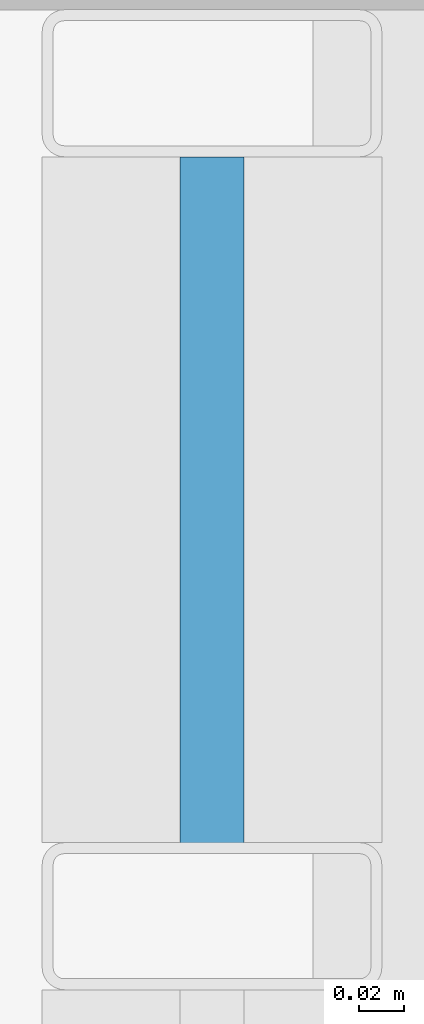
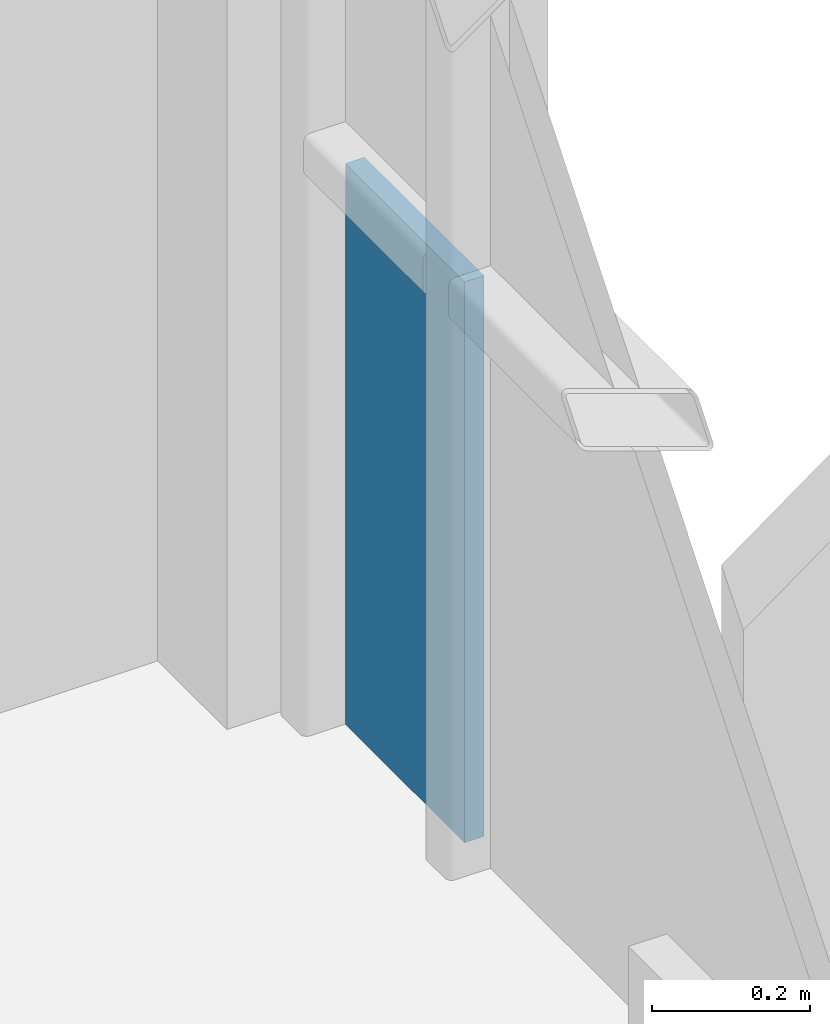
# One storey, part 26 of 39: 1 plate, 1 element without a shape of its own.
"""IFC4 building model written with IfcOpenShell, lengths in metres."""

from ifc_helpers import new_model, si_unit, direction, frame, origin, origin_2d, place, context, subcontext, project, spatial, rectangle, extrude, material, layer, layer_set, type_object, element, aggregate, save


model = new_model("IFC4")

# Units and contexts
model_context = context("Model", 3, precision=1e-05, world=origin(), true_north=direction((0.0, 1.0)))
body_context = subcontext(model_context, "Body", "Model", "MODEL_VIEW")
ifc_project = project(units=[si_unit("LENGTHUNIT", "METRE"), si_unit("AREAUNIT", "SQUARE_METRE"), si_unit("VOLUMEUNIT", "CUBIC_METRE"), si_unit("PLANEANGLEUNIT", "RADIAN"), si_unit("MASSUNIT", "GRAM", prefix="KILO")], contexts=[model_context])

# Site, building, storey
site_placement = place(None, origin())
site = spatial("IfcSite", under=ifc_project, at=site_placement, CompositionType="ELEMENT")
building_placement = place(site_placement, origin())
building = spatial("IfcBuilding", under=site, at=building_placement, Name="Brevholm Reach", CompositionType="ELEMENT")
storey_placement = place(building_placement, frame((0.0, 0.0, 90.0)))
storey = spatial("IfcBuildingStorey", under=building, at=storey_placement, Name="L26", CompositionType="ELEMENT", Elevation=90.0)

# Curtain wall, plate
ifc_material_1 = material(Name="Dark Anodised Aluminium 6063-T6 and Solar-Control Glass", Category="aluminium")
ifc_layer_1 = layer(ifc_material_1, 0.14990234375)
ifc_layer_set_1 = layer_set([ifc_layer_1], Name="Dark Anodised Aluminium 6063-T6 and Solar-Control Glass")
curtain_wall_type = type_object("IfcCurtainWallType", Name="CW-01", PredefinedType="NOTDEFINED", material=ifc_layer_set_1)
curtain_wall_placement = place(storey_placement, origin())
curtain_wall = element("IfcCurtainWall", 1, at=curtain_wall_placement, inside=storey, type_object=curtain_wall_type, Name="L26 Curtain Wall CW-01", PredefinedType="NOTDEFINED")
ifc_material_2 = material(Name="Dark Solar-Control Double-Glazed IGU Glass", Category="glass")
ifc_layer_2 = layer(ifc_material_2, 0.028076171875)
ifc_layer_set_2 = layer_set([ifc_layer_2], Name="Dark Solar-Control Double-Glazed IGU Glass")
plate_type = type_object("IfcPlateType", Name="CWP-GLZ-28", PredefinedType="CURTAIN_PANEL", material=ifc_layer_set_2)
plate_placement = place(storey_placement, frame((59.85009765625, 22.733642578125, 0.0), z_axis=(0.0, 0.0, 1.0), x_axis=(0.0, 1.0, 0.0)))
plate = element("IfcPlate", 2, at=plate_placement, type_object=plate_type, Name="CP-01 Glazing Panel 5.1", PredefinedType="CURTAIN_PANEL", context=body_context, shape_type="SweptSolid", body=[
    extrude(rectangle(XDim=0.302490234375, YDim=0.028076171875, at=origin_2d()), origin(), (0.0, 0.0, 1.0), 0.867431640625),
])
aggregate(curtain_wall, [plate])

save(model, "model.ifc")
